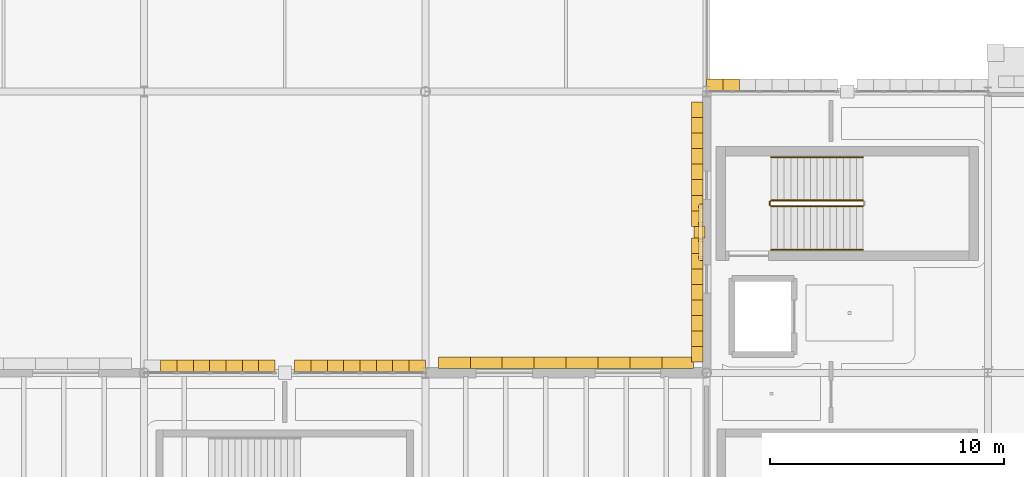
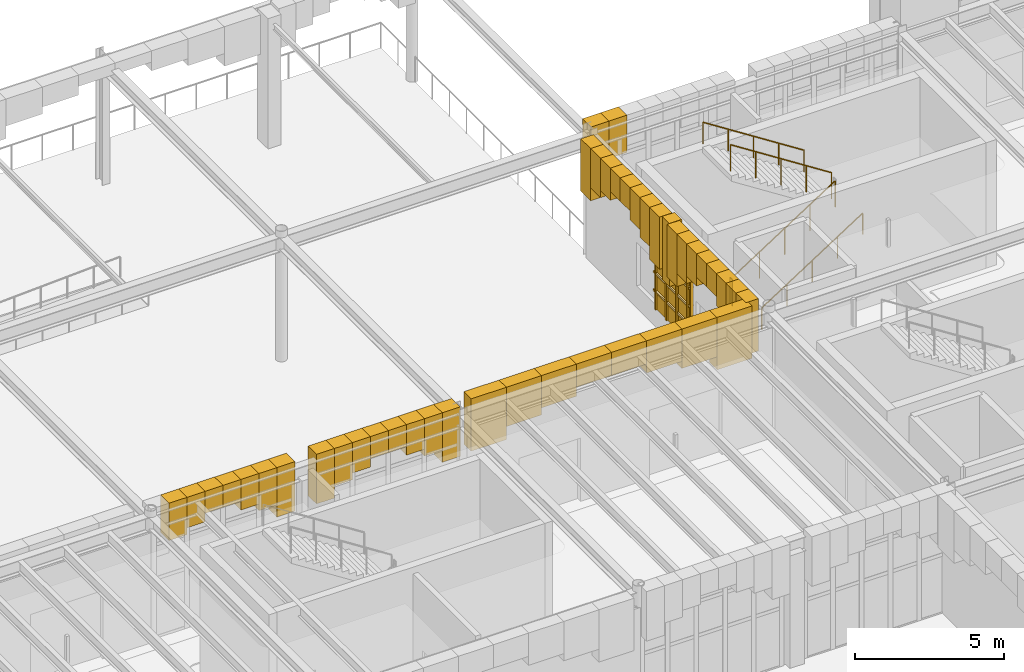
# One storey, part 90 of 103: 49 coverings, 5 railings, 1 shading device.
"""IFC4 building model written with IfcOpenShell, lengths in metres."""

from ifc_helpers import new_model, si_unit, direction, frame, origin, origin_2d, place, context, subcontext, project, spatial, polyline, rectangle, circle, outline, extrude, material, layer, layer_set, type_object, element, save


model = new_model("IFC4")

# Units and contexts
model_context = context("Model", 3, precision=1e-05, world=origin(), true_north=direction((0.0, 1.0)))
body_context = subcontext(model_context, "Body", "Model", "MODEL_VIEW")
ifc_project = project(units=[si_unit("LENGTHUNIT", "METRE"), si_unit("AREAUNIT", "SQUARE_METRE"), si_unit("VOLUMEUNIT", "CUBIC_METRE"), si_unit("PLANEANGLEUNIT", "RADIAN"), si_unit("MASSUNIT", "GRAM", prefix="KILO")], contexts=[model_context])

# Site, building, storey
site_placement = place(None, origin())
site = spatial("IfcSite", under=ifc_project, at=site_placement, CompositionType="ELEMENT")
building_placement = place(site_placement, origin())
building = spatial("IfcBuilding", under=site, at=building_placement, Name="Zlatogorsky Bluff Art Gallery", CompositionType="ELEMENT")
storey_placement = place(building_placement, origin())
storey = spatial("IfcBuildingStorey", under=building, at=storey_placement, Name="L00", CompositionType="ELEMENT", Elevation=0.0)

# Coverings
ifc_material_1 = material(Name="Honed Red Agra-Tone Quartzitic Sandstone", Category="masonry")
ifc_layer = layer(ifc_material_1, 0.1201171875)
ifc_layer_set = layer_set([ifc_layer], Name="Carved Sandstone Cladding CLD-02")
covering_type = type_object("IfcCoveringType", Name="Carved Sandstone Cladding CLD-02", PredefinedType="CLADDING", material=ifc_layer_set)
covering_1_placement = place(storey_placement, frame((0.0, 0.0, 3.327880859375)))
element("IfcCovering", 1, at=covering_1_placement, inside=storey, type_object=covering_type, Name="Pointed Mughal arch voussoir spandrel ARCH-CW-L00-N-08-08-A.1", PredefinedType="CLADDING", context=body_context, shape_type="SweptSolid", body=[
    extrude(outline(polyline([(102.419921875, 95.969970703125), (103.117431640625, 95.969970703125), (103.117431640625, 96.5400390625), (102.419921875, 96.5400390625), (102.419921875, 95.969970703125)])), origin(), (0.0, 0.0, 1.0), 2.0322265625),
])
covering_2_placement = place(storey_placement, frame((0.0, 0.0, 3.82958984375)))
element("IfcCovering", 2, at=covering_2_placement, inside=storey, type_object=covering_type, Name="Pointed Mughal arch voussoir spandrel ARCH-CW-L00-N-08-08-A.2", PredefinedType="CLADDING", context=body_context, shape_type="SweptSolid", body=[
    extrude(outline(polyline([(103.117431640625, 95.969970703125), (103.81494140625, 95.969970703125), (103.81494140625, 96.5400390625), (103.117431640625, 96.5400390625), (103.117431640625, 95.969970703125)])), origin(), (0.0, 0.0, 1.0), 1.530517578125),
])
covering_3_placement = place(storey_placement, frame((0.0, 0.0, 4.1064453125)))
element("IfcCovering", 3, at=covering_3_placement, inside=storey, type_object=covering_type, Name="Pointed Mughal arch voussoir spandrel ARCH-CW-L00-N-08-08-A.3", PredefinedType="CLADDING", context=body_context, shape_type="SweptSolid", body=[
    extrude(outline(polyline([(103.81494140625, 95.969970703125), (104.512451171875, 95.969970703125), (104.512451171875, 96.5400390625), (103.81494140625, 96.5400390625), (103.81494140625, 95.969970703125)])), origin(), (0.0, 0.0, 1.0), 1.253662109375),
])
covering_4_placement = place(storey_placement, frame((0.0, 0.0, 4.45458984375)))
element("IfcCovering", 4, at=covering_4_placement, inside=storey, type_object=covering_type, Name="Pointed Mughal arch voussoir spandrel ARCH-CW-L00-N-08-08-A.4", PredefinedType="CLADDING", context=body_context, shape_type="SweptSolid", body=[
    extrude(outline(polyline([(104.512451171875, 95.969970703125), (105.2099609375, 95.969970703125), (105.2099609375, 96.5400390625), (104.512451171875, 96.5400390625), (104.512451171875, 95.969970703125)])), origin(), (0.0, 0.0, 1.0), 0.905517578125),
])
covering_5_placement = place(storey_placement, frame((0.0, 0.0, 4.45458984375)))
element("IfcCovering", 5, at=covering_5_placement, inside=storey, type_object=covering_type, Name="Pointed Mughal arch voussoir spandrel ARCH-CW-L00-N-08-08-A.5", PredefinedType="CLADDING", context=body_context, shape_type="SweptSolid", body=[
    extrude(outline(polyline([(105.2099609375, 95.969970703125), (105.907470703125, 95.969970703125), (105.907470703125, 96.5400390625), (105.2099609375, 96.5400390625), (105.2099609375, 95.969970703125)])), origin(), (0.0, 0.0, 1.0), 0.905517578125),
])
covering_6_placement = place(storey_placement, frame((0.0, 0.0, 4.1064453125)))
element("IfcCovering", 6, at=covering_6_placement, inside=storey, type_object=covering_type, Name="Pointed Mughal arch voussoir spandrel ARCH-CW-L00-N-08-08-A.6", PredefinedType="CLADDING", context=body_context, shape_type="SweptSolid", body=[
    extrude(outline(polyline([(105.907470703125, 95.969970703125), (106.60498046875, 95.969970703125), (106.60498046875, 96.5400390625), (105.907470703125, 96.5400390625), (105.907470703125, 95.969970703125)])), origin(), (0.0, 0.0, 1.0), 1.253662109375),
])
covering_7_placement = place(storey_placement, frame((0.0, 0.0, 3.82958984375)))
element("IfcCovering", 7, at=covering_7_placement, inside=storey, type_object=covering_type, Name="Pointed Mughal arch voussoir spandrel ARCH-CW-L00-N-08-08-A.7", PredefinedType="CLADDING", context=body_context, shape_type="SweptSolid", body=[
    extrude(outline(polyline([(106.60498046875, 95.969970703125), (107.302490234375, 95.969970703125), (107.302490234375, 96.5400390625), (106.60498046875, 96.5400390625), (106.60498046875, 95.969970703125)])), origin(), (0.0, 0.0, 1.0), 1.530517578125),
])
covering_8_placement = place(storey_placement, frame((0.0, 0.0, 3.327880859375)))
element("IfcCovering", 8, at=covering_8_placement, inside=storey, type_object=covering_type, Name="Pointed Mughal arch voussoir spandrel ARCH-CW-L00-N-08-08-A.8", PredefinedType="CLADDING", context=body_context, shape_type="SweptSolid", body=[
    extrude(outline(polyline([(107.302490234375, 95.969970703125), (108.0, 95.969970703125), (108.0, 96.5400390625), (107.302490234375, 96.5400390625), (107.302490234375, 95.969970703125)])), origin(), (0.0, 0.0, 1.0), 2.0322265625),
])
covering_9_placement = place(storey_placement, frame((0.0, 0.0, 3.82958984375)))
element("IfcCovering", 9, at=covering_9_placement, inside=storey, type_object=covering_type, Name="Pointed Mughal arch voussoir spandrel ARCH-CW-L00-N-08-08-B.2", PredefinedType="CLADDING", context=body_context, shape_type="SweptSolid", body=[
    extrude(outline(polyline([(96.697509765625, 95.969970703125), (97.39501953125, 95.969970703125), (97.39501953125, 96.5400390625), (96.697509765625, 96.5400390625), (96.697509765625, 95.969970703125)])), origin(), (0.0, 0.0, 1.0), 1.530517578125),
])
covering_10_placement = place(storey_placement, frame((0.0, 0.0, 4.1064453125)))
element("IfcCovering", 10, at=covering_10_placement, inside=storey, type_object=covering_type, Name="Pointed Mughal arch voussoir spandrel ARCH-CW-L00-N-08-08-B.3", PredefinedType="CLADDING", context=body_context, shape_type="SweptSolid", body=[
    extrude(outline(polyline([(97.39501953125, 95.969970703125), (98.092529296875, 95.969970703125), (98.092529296875, 96.5400390625), (97.39501953125, 96.5400390625), (97.39501953125, 95.969970703125)])), origin(), (0.0, 0.0, 1.0), 1.253662109375),
])
covering_11_placement = place(storey_placement, frame((0.0, 0.0, 4.45458984375)))
element("IfcCovering", 11, at=covering_11_placement, inside=storey, type_object=covering_type, Name="Pointed Mughal arch voussoir spandrel ARCH-CW-L00-N-08-08-B.4", PredefinedType="CLADDING", context=body_context, shape_type="SweptSolid", body=[
    extrude(outline(polyline([(98.092529296875, 95.969970703125), (98.7900390625, 95.969970703125), (98.7900390625, 96.5400390625), (98.092529296875, 96.5400390625), (98.092529296875, 95.969970703125)])), origin(), (0.0, 0.0, 1.0), 0.905517578125),
])
covering_12_placement = place(storey_placement, frame((0.0, 0.0, 4.45458984375)))
element("IfcCovering", 12, at=covering_12_placement, inside=storey, type_object=covering_type, Name="Pointed Mughal arch voussoir spandrel ARCH-CW-L00-N-08-08-B.5", PredefinedType="CLADDING", context=body_context, shape_type="SweptSolid", body=[
    extrude(outline(polyline([(98.7900390625, 95.969970703125), (99.487548828125, 95.969970703125), (99.487548828125, 96.5400390625), (98.7900390625, 96.5400390625), (98.7900390625, 95.969970703125)])), origin(), (0.0, 0.0, 1.0), 0.905517578125),
])
covering_13_placement = place(storey_placement, frame((0.0, 0.0, 4.1064453125)))
element("IfcCovering", 13, at=covering_13_placement, inside=storey, type_object=covering_type, Name="Pointed Mughal arch voussoir spandrel ARCH-CW-L00-N-08-08-B.6", PredefinedType="CLADDING", context=body_context, shape_type="SweptSolid", body=[
    extrude(outline(polyline([(99.487548828125, 95.969970703125), (100.18505859375, 95.969970703125), (100.18505859375, 96.5400390625), (99.487548828125, 96.5400390625), (99.487548828125, 95.969970703125)])), origin(), (0.0, 0.0, 1.0), 1.253662109375),
])
covering_14_placement = place(storey_placement, frame((0.0, 0.0, 3.82958984375)))
element("IfcCovering", 14, at=covering_14_placement, inside=storey, type_object=covering_type, Name="Pointed Mughal arch voussoir spandrel ARCH-CW-L00-N-08-08-B.7", PredefinedType="CLADDING", context=body_context, shape_type="SweptSolid", body=[
    extrude(outline(polyline([(100.18505859375, 95.969970703125), (100.882568359375, 95.969970703125), (100.882568359375, 96.5400390625), (100.18505859375, 96.5400390625), (100.18505859375, 95.969970703125)])), origin(), (0.0, 0.0, 1.0), 1.530517578125),
])
covering_15_placement = place(storey_placement, frame((0.0, 0.0, 3.327880859375)))
element("IfcCovering", 15, at=covering_15_placement, inside=storey, type_object=covering_type, Name="Pointed Mughal arch voussoir spandrel ARCH-CW-L00-N-08-08-B.8", PredefinedType="CLADDING", context=body_context, shape_type="SweptSolid", body=[
    extrude(outline(polyline([(100.882568359375, 95.969970703125), (101.580078125, 95.969970703125), (101.580078125, 96.5400390625), (100.882568359375, 96.5400390625), (100.882568359375, 95.969970703125)])), origin(), (0.0, 0.0, 1.0), 2.0322265625),
])
covering_16_placement = place(storey_placement, frame((0.0, 0.0, 3.21240234375)))
element("IfcCovering", 16, at=covering_16_placement, inside=storey, type_object=covering_type, Name="Pointed Mughal arch voussoir spandrel WARCH-L00-N-09-08-A.1", PredefinedType="CLADDING", context=body_context, shape_type="SweptSolid", body=[
    extrude(outline(polyline([(108.550048828125, 96.18994140625), (109.91259765625, 96.18994140625), (109.91259765625, 96.679931640625), (108.550048828125, 96.679931640625), (108.550048828125, 96.18994140625)])), origin(), (0.0, 0.0, 1.0), 2.147705078125),
])
covering_17_placement = place(storey_placement, frame((0.0, 0.0, 3.743896484375)))
element("IfcCovering", 17, at=covering_17_placement, inside=storey, type_object=covering_type, Name="Pointed Mughal arch voussoir spandrel WARCH-L00-N-09-08-A.2", PredefinedType="CLADDING", context=body_context, shape_type="SweptSolid", body=[
    extrude(outline(polyline([(109.91259765625, 96.18994140625), (111.27490234375, 96.18994140625), (111.27490234375, 96.679931640625), (109.91259765625, 96.679931640625), (109.91259765625, 96.18994140625)])), origin(), (0.0, 0.0, 1.0), 1.6162109375),
])
covering_18_placement = place(storey_placement, frame((0.0, 0.0, 4.03662109375)))
element("IfcCovering", 18, at=covering_18_placement, inside=storey, type_object=covering_type, Name="Pointed Mughal arch voussoir spandrel WARCH-L00-N-09-08-A.3", PredefinedType="CLADDING", context=body_context, shape_type="SweptSolid", body=[
    extrude(outline(polyline([(111.27490234375, 96.18994140625), (112.637451171875, 96.18994140625), (112.637451171875, 96.679931640625), (111.27490234375, 96.679931640625), (111.27490234375, 96.18994140625)])), origin(), (0.0, 0.0, 1.0), 1.323486328125),
])
covering_19_placement = place(storey_placement, frame((0.0, 0.0, 4.405517578125)))
element("IfcCovering", 19, at=covering_19_placement, inside=storey, type_object=covering_type, Name="Pointed Mughal arch voussoir spandrel WARCH-L00-N-09-08-A.4", PredefinedType="CLADDING", context=body_context, shape_type="SweptSolid", body=[
    extrude(outline(polyline([(112.637451171875, 96.18994140625), (114.0, 96.18994140625), (114.0, 96.679931640625), (112.637451171875, 96.679931640625), (112.637451171875, 96.18994140625)])), origin(), (0.0, 0.0, 1.0), 0.95458984375),
])
covering_20_placement = place(storey_placement, frame((0.0, 0.0, 4.405517578125)))
element("IfcCovering", 20, at=covering_20_placement, inside=storey, type_object=covering_type, Name="Pointed Mughal arch voussoir spandrel WARCH-L00-N-09-08-A.5", PredefinedType="CLADDING", context=body_context, shape_type="SweptSolid", body=[
    extrude(outline(polyline([(114.0, 96.18994140625), (115.362548828125, 96.18994140625), (115.362548828125, 96.679931640625), (114.0, 96.679931640625), (114.0, 96.18994140625)])), origin(), (0.0, 0.0, 1.0), 0.95458984375),
])
covering_21_placement = place(storey_placement, frame((0.0, 0.0, 4.03662109375)))
element("IfcCovering", 21, at=covering_21_placement, inside=storey, type_object=covering_type, Name="Pointed Mughal arch voussoir spandrel WARCH-L00-N-09-08-A.6", PredefinedType="CLADDING", context=body_context, shape_type="SweptSolid", body=[
    extrude(outline(polyline([(115.362548828125, 96.18994140625), (116.72509765625, 96.18994140625), (116.72509765625, 96.679931640625), (115.362548828125, 96.679931640625), (115.362548828125, 96.18994140625)])), origin(), (0.0, 0.0, 1.0), 1.323486328125),
])
covering_22_placement = place(storey_placement, frame((0.0, 0.0, 3.743896484375)))
element("IfcCovering", 22, at=covering_22_placement, inside=storey, type_object=covering_type, Name="Pointed Mughal arch voussoir spandrel WARCH-L00-N-09-08-A.7", PredefinedType="CLADDING", context=body_context, shape_type="SweptSolid", body=[
    extrude(outline(polyline([(116.72509765625, 96.18994140625), (118.08740234375, 96.18994140625), (118.08740234375, 96.679931640625), (116.72509765625, 96.679931640625), (116.72509765625, 96.18994140625)])), origin(), (0.0, 0.0, 1.0), 1.6162109375),
])
covering_23_placement = place(storey_placement, frame((0.0, 0.0, 3.21240234375)))
element("IfcCovering", 23, at=covering_23_placement, inside=storey, type_object=covering_type, Name="Pointed Mughal arch voussoir spandrel WARCH-L00-N-09-08-A.8", PredefinedType="CLADDING", context=body_context, shape_type="SweptSolid", body=[
    extrude(outline(polyline([(118.08740234375, 96.18994140625), (119.449951171875, 96.18994140625), (119.449951171875, 96.679931640625), (118.08740234375, 96.679931640625), (118.08740234375, 96.18994140625)])), origin(), (0.0, 0.0, 1.0), 2.147705078125),
])
covering_24_placement = place(storey_placement, frame((0.0, 0.0, 3.327880859375)))
element("IfcCovering", 24, at=covering_24_placement, inside=storey, type_object=covering_type, Name="Pointed Mughal arch voussoir spandrel ARCH-CW-L00-N-10-09-B.1", PredefinedType="CLADDING", context=body_context, shape_type="SweptSolid", body=[
    extrude(outline(polyline([(120.0, 107.969970703125), (120.697509765625, 107.969970703125), (120.697509765625, 108.5400390625), (120.0, 108.5400390625), (120.0, 107.969970703125)])), origin(), (0.0, 0.0, 1.0), 2.0322265625),
])
covering_25_placement = place(storey_placement, frame((0.0, 0.0, 3.82958984375)))
element("IfcCovering", 25, at=covering_25_placement, inside=storey, type_object=covering_type, Name="Pointed Mughal arch voussoir spandrel ARCH-CW-L00-N-10-09-B.2", PredefinedType="CLADDING", context=body_context, shape_type="SweptSolid", body=[
    extrude(outline(polyline([(120.697509765625, 107.969970703125), (121.39501953125, 107.969970703125), (121.39501953125, 108.5400390625), (120.697509765625, 108.5400390625), (120.697509765625, 107.969970703125)])), origin(), (0.0, 0.0, 1.0), 1.530517578125),
])
covering_26_placement = place(storey_placement, frame((0.0, 0.0, 2.77001953125)))
element("IfcCovering", 26, at=covering_26_placement, inside=storey, type_object=covering_type, Name="Mughal blind-arch sandstone pilaster L00.W.10.9", PredefinedType="CLADDING", context=body_context, shape_type="SweptSolid", body=[
    extrude(outline(polyline([(119.4599609375, 101.760009765625), (119.93994140625, 101.760009765625), (119.93994140625, 102.239990234375), (119.4599609375, 102.239990234375), (119.4599609375, 101.760009765625)])), origin(), (0.0, 0.0, 1.0), 2.590087890625),
])
covering_27_placement = place(storey_placement, frame((0.0, 0.0, 3.21240234375)))
element("IfcCovering", 27, at=covering_27_placement, inside=storey, type_object=covering_type, Name="Pointed Mughal arch voussoir spandrel WARCH-L00-W-10-09-A.1", PredefinedType="CLADDING", context=body_context, shape_type="SweptSolid", body=[
    extrude(outline(polyline([(119.360107421875, 96.449951171875), (119.360107421875, 97.112548828125), (119.85009765625, 97.112548828125), (119.85009765625, 96.449951171875), (119.360107421875, 96.449951171875)])), origin(), (0.0, 0.0, 1.0), 2.147705078125),
])
covering_28_placement = place(storey_placement, frame((0.0, 0.0, 3.743896484375)))
element("IfcCovering", 28, at=covering_28_placement, inside=storey, type_object=covering_type, Name="Pointed Mughal arch voussoir spandrel WARCH-L00-W-10-09-A.2", PredefinedType="CLADDING", context=body_context, shape_type="SweptSolid", body=[
    extrude(outline(polyline([(119.360107421875, 97.112548828125), (119.360107421875, 97.77490234375), (119.85009765625, 97.77490234375), (119.85009765625, 97.112548828125), (119.360107421875, 97.112548828125)])), origin(), (0.0, 0.0, 1.0), 1.6162109375),
])
covering_29_placement = place(storey_placement, frame((0.0, 0.0, 4.03662109375)))
element("IfcCovering", 29, at=covering_29_placement, inside=storey, type_object=covering_type, Name="Pointed Mughal arch voussoir spandrel WARCH-L00-W-10-09-A.3", PredefinedType="CLADDING", context=body_context, shape_type="SweptSolid", body=[
    extrude(outline(polyline([(119.360107421875, 97.77490234375), (119.360107421875, 98.4375), (119.85009765625, 98.4375), (119.85009765625, 97.77490234375), (119.360107421875, 97.77490234375)])), origin(), (0.0, 0.0, 1.0), 1.323486328125),
])
covering_30_placement = place(storey_placement, frame((0.0, 0.0, 4.405517578125)))
element("IfcCovering", 30, at=covering_30_placement, inside=storey, type_object=covering_type, Name="Pointed Mughal arch voussoir spandrel WARCH-L00-W-10-09-A.4", PredefinedType="CLADDING", context=body_context, shape_type="SweptSolid", body=[
    extrude(outline(polyline([(119.360107421875, 98.4375), (119.360107421875, 99.10009765625), (119.85009765625, 99.10009765625), (119.85009765625, 98.4375), (119.360107421875, 98.4375)])), origin(), (0.0, 0.0, 1.0), 0.95458984375),
])
covering_31_placement = place(storey_placement, frame((0.0, 0.0, 4.405517578125)))
element("IfcCovering", 31, at=covering_31_placement, inside=storey, type_object=covering_type, Name="Pointed Mughal arch voussoir spandrel WARCH-L00-W-10-09-A.5", PredefinedType="CLADDING", context=body_context, shape_type="SweptSolid", body=[
    extrude(outline(polyline([(119.360107421875, 99.10009765625), (119.360107421875, 99.762451171875), (119.85009765625, 99.762451171875), (119.85009765625, 99.10009765625), (119.360107421875, 99.10009765625)])), origin(), (0.0, 0.0, 1.0), 0.95458984375),
])
covering_32_placement = place(storey_placement, frame((0.0, 0.0, 4.03662109375)))
element("IfcCovering", 32, at=covering_32_placement, inside=storey, type_object=covering_type, Name="Pointed Mughal arch voussoir spandrel WARCH-L00-W-10-09-A.6", PredefinedType="CLADDING", context=body_context, shape_type="SweptSolid", body=[
    extrude(outline(polyline([(119.360107421875, 99.762451171875), (119.360107421875, 100.425048828125), (119.85009765625, 100.425048828125), (119.85009765625, 99.762451171875), (119.360107421875, 99.762451171875)])), origin(), (0.0, 0.0, 1.0), 1.323486328125),
])
covering_33_placement = place(storey_placement, frame((0.0, 0.0, 3.743896484375)))
element("IfcCovering", 33, at=covering_33_placement, inside=storey, type_object=covering_type, Name="Pointed Mughal arch voussoir spandrel WARCH-L00-W-10-09-A.7", PredefinedType="CLADDING", context=body_context, shape_type="SweptSolid", body=[
    extrude(outline(polyline([(119.360107421875, 100.425048828125), (119.360107421875, 101.08740234375), (119.85009765625, 101.08740234375), (119.85009765625, 100.425048828125), (119.360107421875, 100.425048828125)])), origin(), (0.0, 0.0, 1.0), 1.6162109375),
])
covering_34_placement = place(storey_placement, frame((0.0, 0.0, 3.21240234375)))
element("IfcCovering", 34, at=covering_34_placement, inside=storey, type_object=covering_type, Name="Pointed Mughal arch voussoir spandrel WARCH-L00-W-10-09-A.8", PredefinedType="CLADDING", context=body_context, shape_type="SweptSolid", body=[
    extrude(outline(polyline([(119.360107421875, 101.08740234375), (119.360107421875, 101.75), (119.85009765625, 101.75), (119.85009765625, 101.08740234375), (119.360107421875, 101.08740234375)])), origin(), (0.0, 0.0, 1.0), 2.147705078125),
])
covering_35_placement = place(storey_placement, frame((0.0, 0.0, 3.21240234375)))
element("IfcCovering", 35, at=covering_35_placement, inside=storey, type_object=covering_type, Name="Pointed Mughal arch voussoir spandrel WARCH-L00-W-10-09-B.1", PredefinedType="CLADDING", context=body_context, shape_type="SweptSolid", body=[
    extrude(outline(polyline([(119.360107421875, 102.25), (119.360107421875, 102.91259765625), (119.85009765625, 102.91259765625), (119.85009765625, 102.25), (119.360107421875, 102.25)])), origin(), (0.0, 0.0, 1.0), 2.147705078125),
])
covering_36_placement = place(storey_placement, frame((0.0, 0.0, 3.743896484375)))
element("IfcCovering", 36, at=covering_36_placement, inside=storey, type_object=covering_type, Name="Pointed Mughal arch voussoir spandrel WARCH-L00-W-10-09-B.2", PredefinedType="CLADDING", context=body_context, shape_type="SweptSolid", body=[
    extrude(outline(polyline([(119.360107421875, 102.91259765625), (119.360107421875, 103.574951171875), (119.85009765625, 103.574951171875), (119.85009765625, 102.91259765625), (119.360107421875, 102.91259765625)])), origin(), (0.0, 0.0, 1.0), 1.6162109375),
])
covering_37_placement = place(storey_placement, frame((0.0, 0.0, 4.03662109375)))
element("IfcCovering", 37, at=covering_37_placement, inside=storey, type_object=covering_type, Name="Pointed Mughal arch voussoir spandrel WARCH-L00-W-10-09-B.3", PredefinedType="CLADDING", context=body_context, shape_type="SweptSolid", body=[
    extrude(outline(polyline([(119.360107421875, 103.574951171875), (119.360107421875, 104.237548828125), (119.85009765625, 104.237548828125), (119.85009765625, 103.574951171875), (119.360107421875, 103.574951171875)])), origin(), (0.0, 0.0, 1.0), 1.323486328125),
])
covering_38_placement = place(storey_placement, frame((0.0, 0.0, 4.405517578125)))
element("IfcCovering", 38, at=covering_38_placement, inside=storey, type_object=covering_type, Name="Pointed Mughal arch voussoir spandrel WARCH-L00-W-10-09-B.4", PredefinedType="CLADDING", context=body_context, shape_type="SweptSolid", body=[
    extrude(outline(polyline([(119.360107421875, 104.237548828125), (119.360107421875, 104.89990234375), (119.85009765625, 104.89990234375), (119.85009765625, 104.237548828125), (119.360107421875, 104.237548828125)])), origin(), (0.0, 0.0, 1.0), 0.95458984375),
])
covering_39_placement = place(storey_placement, frame((0.0, 0.0, 4.405517578125)))
element("IfcCovering", 39, at=covering_39_placement, inside=storey, type_object=covering_type, Name="Pointed Mughal arch voussoir spandrel WARCH-L00-W-10-09-B.5", PredefinedType="CLADDING", context=body_context, shape_type="SweptSolid", body=[
    extrude(outline(polyline([(119.360107421875, 104.89990234375), (119.360107421875, 105.5625), (119.85009765625, 105.5625), (119.85009765625, 104.89990234375), (119.360107421875, 104.89990234375)])), origin(), (0.0, 0.0, 1.0), 0.95458984375),
])
covering_40_placement = place(storey_placement, frame((0.0, 0.0, 4.03662109375)))
element("IfcCovering", 40, at=covering_40_placement, inside=storey, type_object=covering_type, Name="Pointed Mughal arch voussoir spandrel WARCH-L00-W-10-09-B.6", PredefinedType="CLADDING", context=body_context, shape_type="SweptSolid", body=[
    extrude(outline(polyline([(119.360107421875, 105.5625), (119.360107421875, 106.22509765625), (119.85009765625, 106.22509765625), (119.85009765625, 105.5625), (119.360107421875, 105.5625)])), origin(), (0.0, 0.0, 1.0), 1.323486328125),
])
covering_41_placement = place(storey_placement, frame((0.0, 0.0, 3.743896484375)))
element("IfcCovering", 41, at=covering_41_placement, inside=storey, type_object=covering_type, Name="Pointed Mughal arch voussoir spandrel WARCH-L00-W-10-09-B.7", PredefinedType="CLADDING", context=body_context, shape_type="SweptSolid", body=[
    extrude(outline(polyline([(119.360107421875, 106.22509765625), (119.360107421875, 106.887451171875), (119.85009765625, 106.887451171875), (119.85009765625, 106.22509765625), (119.360107421875, 106.22509765625)])), origin(), (0.0, 0.0, 1.0), 1.6162109375),
])
covering_42_placement = place(storey_placement, frame((0.0, 0.0, 3.21240234375)))
element("IfcCovering", 42, at=covering_42_placement, inside=storey, type_object=covering_type, Name="Pointed Mughal arch voussoir spandrel WARCH-L00-W-10-09-B.8", PredefinedType="CLADDING", context=body_context, shape_type="SweptSolid", body=[
    extrude(outline(polyline([(119.360107421875, 106.887451171875), (119.360107421875, 107.550048828125), (119.85009765625, 107.550048828125), (119.85009765625, 106.887451171875), (119.360107421875, 106.887451171875)])), origin(), (0.0, 0.0, 1.0), 2.147705078125),
])
covering_43_placement = place(storey_placement, frame((0.0, 0.0, 0.949951171875)))
element("IfcCovering", 43, at=covering_43_placement, inside=storey, type_object=covering_type, Name="Pierced sandstone jali lattice bar L00.W.10.9", PredefinedType="CLADDING", context=body_context, shape_type="SweptSolid", body=[
    extrude(outline(polyline([(119.659912109375, 100.875), (119.659912109375, 100.965087890625), (119.85009765625, 100.965087890625), (119.85009765625, 100.875), (119.659912109375, 100.875)])), origin(), (0.0, 0.0, 1.0), 3.0),
])
covering_44_placement = place(storey_placement, frame((0.0, 0.0, 0.949951171875)))
element("IfcCovering", 44, at=covering_44_placement, inside=storey, type_object=covering_type, Name="Pierced sandstone jali lattice bar L00.W.10.9", PredefinedType="CLADDING", context=body_context, shape_type="SweptSolid", body=[
    extrude(outline(polyline([(119.659912109375, 101.594970703125), (119.659912109375, 101.68505859375), (119.85009765625, 101.68505859375), (119.85009765625, 101.594970703125), (119.659912109375, 101.594970703125)])), origin(), (0.0, 0.0, 1.0), 3.0),
])
covering_45_placement = place(storey_placement, frame((0.0, 0.0, 0.949951171875)))
element("IfcCovering", 45, at=covering_45_placement, inside=storey, type_object=covering_type, Name="Pierced sandstone jali lattice bar L00.W.10.9", PredefinedType="CLADDING", context=body_context, shape_type="SweptSolid", body=[
    extrude(outline(polyline([(119.659912109375, 102.31494140625), (119.659912109375, 102.405029296875), (119.85009765625, 102.405029296875), (119.85009765625, 102.31494140625), (119.659912109375, 102.31494140625)])), origin(), (0.0, 0.0, 1.0), 3.0),
])
covering_46_placement = place(storey_placement, frame((0.0, 0.0, 0.949951171875)))
element("IfcCovering", 46, at=covering_46_placement, inside=storey, type_object=covering_type, Name="Pierced sandstone jali lattice bar L00.W.10.9", PredefinedType="CLADDING", context=body_context, shape_type="SweptSolid", body=[
    extrude(outline(polyline([(119.659912109375, 103.034912109375), (119.659912109375, 103.125), (119.85009765625, 103.125), (119.85009765625, 103.034912109375), (119.659912109375, 103.034912109375)])), origin(), (0.0, 0.0, 1.0), 3.0),
])
for number, where, name in (
    (47, (0.0, 0.0, 1.659912109375), "Pierced sandstone jali lattice transom L00.W.10.9"),
    (48, (0.0, 0.0, 2.409912109375), "Pierced sandstone jali lattice transom L00.W.10.9"),
    (49, (0.0, 0.0, 3.159912109375), "Pierced sandstone jali lattice transom L00.W.10.9"),
):
    element("IfcCovering", number, at=place(storey_placement, frame(where)), inside=storey, type_object=covering_type, Name=name, PredefinedType="CLADDING", context=body_context, shape_type="SweptSolid", body=[
        extrude(outline(polyline([(119.659912109375, 100.800048828125), (119.659912109375, 103.199951171875), (119.85009765625, 103.199951171875), (119.85009765625, 100.800048828125), (119.659912109375, 100.800048828125)])), origin(), (0.0, 0.0, 1.0), 0.080078125),
    ])

# Railings
ifc_material_2 = material(Name="Architectural Bronze and Laminated Glass", Category="glass")
railing_type_1 = type_object("IfcRailingType", Name="Gallery Guard Rail 1100mm", PredefinedType="GUARDRAIL", material=ifc_material_2)
railing_1_placement = place(storey_placement, frame((122.75, 103.10009765625, 0.179931640625)))
element("IfcRailing", 50, at=railing_1_placement, inside=storey, type_object=railing_type_1, Name="L00 ST-03 stair guard 1", PredefinedType="GUARDRAIL", context=body_context, shape_type="SweptSolid", body=[
    extrude(circle(Radius=0.02392578125, at=origin_2d()), frame((0.0, 0.0, 1.076171875), z_axis=(0.841171666519, 0.0, 0.540768182723), x_axis=(0.0, 1.0, 0.0)), (0.0, 0.0, 1.0), 4.66015625),
    extrude(circle(Radius=0.02099609375, at=origin_2d()), origin(), (0.0, 0.0, 1.0), 1.052001953125),
    extrude(circle(Radius=0.02099609375, at=origin_2d()), frame((0.97998046875, 0.0, 0.6298828125)), (0.0, 0.0, 1.0), 1.052001953125),
    extrude(circle(Radius=0.02099609375, at=origin_2d()), frame((1.9599609375, 0.0, 1.260009765625)), (0.0, 0.0, 1.0), 1.052001953125),
    extrude(circle(Radius=0.02099609375, at=origin_2d()), frame((2.93994140625, 0.0, 1.89013671875)), (0.0, 0.0, 1.0), 1.052001953125),
    extrude(circle(Radius=0.02099609375, at=origin_2d()), frame((3.919921875, 0.0, 2.52001953125)), (0.0, 0.0, 1.0), 1.052001953125),
])
railing_2_placement = place(storey_placement, frame((126.669921875, 103.35009765625, 2.8798828125)))
element("IfcRailing", 51, at=railing_2_placement, inside=storey, type_object=railing_type_1, Name="L00 ST-03 stair guard 3", PredefinedType="GUARDRAIL", context=body_context, shape_type="SweptSolid", body=[
    extrude(circle(Radius=0.02392578125, at=origin_2d()), frame((0.0, 0.0, 1.076171875), z_axis=(-0.841171666519, 0.0, 0.540768182723), x_axis=(0.0, -1.0, 0.0)), (0.0, 0.0, 1.0), 4.66015625),
    extrude(circle(Radius=0.02099609375, at=origin_2d()), origin(), (0.0, 0.0, 1.0), 1.052001953125),
    extrude(circle(Radius=0.02099609375, at=origin_2d()), frame((-0.97998046875, 0.0, 0.6298828125)), (0.0, 0.0, 1.0), 1.052001953125),
    extrude(circle(Radius=0.02099609375, at=origin_2d()), frame((-1.9599609375, 0.0, 1.260009765625)), (0.0, 0.0, 1.0), 1.052001953125),
    extrude(circle(Radius=0.02099609375, at=origin_2d()), frame((-2.93994140625, 0.0, 1.89013671875)), (0.0, 0.0, 1.0), 1.052001953125),
    extrude(circle(Radius=0.02099609375, at=origin_2d()), frame((-3.919921875, 0.0, 2.52001953125)), (0.0, 0.0, 1.0), 1.052001953125),
])
railing_3_placement = place(storey_placement, frame((122.699951171875, 103.14990234375, 0.0)))
element("IfcRailing", 52, at=railing_3_placement, inside=storey, type_object=railing_type_1, Name="L00 ST-03 stair guard 4", PredefinedType="GUARDRAIL", context=body_context, shape_type="SweptSolid", body=[
    extrude(circle(Radius=0.02392578125, at=origin_2d()), frame((0.0, 0.0, 1.076171875), z_axis=(0.0, 1.0, 0.0), x_axis=(-1.0, 0.0, 0.0)), (0.0, 0.0, 1.0), 0.150146484375),
    extrude(circle(Radius=0.02099609375, at=origin_2d()), origin(), (0.0, 0.0, 1.0), 1.052001953125),
    extrude(circle(Radius=0.02099609375, at=origin_2d()), frame((0.0, 0.150146484375, 0.0)), (0.0, 0.0, 1.0), 1.052001953125),
])

# Shading device
ifc_material_3 = material(Name="CNC-Pierced Red Quartzitic Sandstone Jali", Category="masonry")
shading_device_type = type_object("IfcShadingDeviceType", Name="Pierced Stone Jali Screen JAL-03", PredefinedType="JALOUSIE", material=ifc_material_3)
shading_device_placement = place(storey_placement, frame((119.780029296875, 102.0, 0.949951171875), z_axis=(0.0, 0.0, 1.0), x_axis=(1.0, 0.0, 0.0)))
element("IfcShadingDevice", 53, at=shading_device_placement, inside=storey, type_object=shading_device_type, Name="Pierced stone jali screen JAL-03", PredefinedType="JALOUSIE", context=body_context, shape_type="SweptSolid", body=[
    extrude(rectangle(XDim=0.1201171875, YDim=2.39990234375, at=origin_2d()), origin(), (0.0, 0.0, 1.0), 3.0),
])

# Railings
ifc_material_4 = material(Name="Brushed Stainless Steel", Category="steel")
railing_type_2 = type_object("IfcRailingType", Name="Stair Pitch Handrail 900mm", PredefinedType="HANDRAIL", material=ifc_material_4)
railing_4_placement = place(storey_placement, frame((122.75, 101.25, 0.179931640625)))
element("IfcRailing", 54, at=railing_4_placement, inside=storey, type_object=railing_type_2, Name="L00 ST-03 stair handrail 1", PredefinedType="HANDRAIL", context=body_context, shape_type="SweptSolid", body=[
    extrude(circle(Radius=0.02392578125, at=origin_2d()), frame((0.0, 0.0, 0.8759765625), z_axis=(0.841171666519, 0.0, 0.540768182723), x_axis=(0.0, 1.0, 0.0)), (0.0, 0.0, 1.0), 4.66015625),
    extrude(circle(Radius=0.02099609375, at=origin_2d()), origin(), (0.0, 0.0, 1.0), 0.851806640625),
    extrude(circle(Radius=0.02099609375, at=origin_2d()), frame((0.97998046875, 0.0, 0.6298828125)), (0.0, 0.0, 1.0), 0.851806640625),
    extrude(circle(Radius=0.02099609375, at=origin_2d()), frame((1.9599609375, 0.0, 1.260009765625)), (0.0, 0.0, 1.0), 0.851806640625),
    extrude(circle(Radius=0.02099609375, at=origin_2d()), frame((2.93994140625, 0.0, 1.89013671875)), (0.0, 0.0, 1.0), 0.851806640625),
    extrude(circle(Radius=0.02099609375, at=origin_2d()), frame((3.919921875, 0.0, 2.52001953125)), (0.0, 0.0, 1.0), 0.851806640625),
])
railing_5_placement = place(storey_placement, frame((126.669921875, 105.199951171875, 2.8798828125)))
element("IfcRailing", 55, at=railing_5_placement, inside=storey, type_object=railing_type_2, Name="L00 ST-03 stair handrail 2", PredefinedType="HANDRAIL", context=body_context, shape_type="SweptSolid", body=[
    extrude(circle(Radius=0.02392578125, at=origin_2d()), frame((0.0, 0.0, 0.8759765625), z_axis=(-0.841171666519, 0.0, 0.540768182723), x_axis=(0.0, -1.0, 0.0)), (0.0, 0.0, 1.0), 4.66015625),
    extrude(circle(Radius=0.02099609375, at=origin_2d()), origin(), (0.0, 0.0, 1.0), 0.851806640625),
    extrude(circle(Radius=0.02099609375, at=origin_2d()), frame((-0.97998046875, 0.0, 0.6298828125)), (0.0, 0.0, 1.0), 0.851806640625),
    extrude(circle(Radius=0.02099609375, at=origin_2d()), frame((-1.9599609375, 0.0, 1.260009765625)), (0.0, 0.0, 1.0), 0.851806640625),
    extrude(circle(Radius=0.02099609375, at=origin_2d()), frame((-2.93994140625, 0.0, 1.89013671875)), (0.0, 0.0, 1.0), 0.851806640625),
    extrude(circle(Radius=0.02099609375, at=origin_2d()), frame((-3.919921875, 0.0, 2.52001953125)), (0.0, 0.0, 1.0), 0.851806640625),
])

save(model, "model.ifc")
